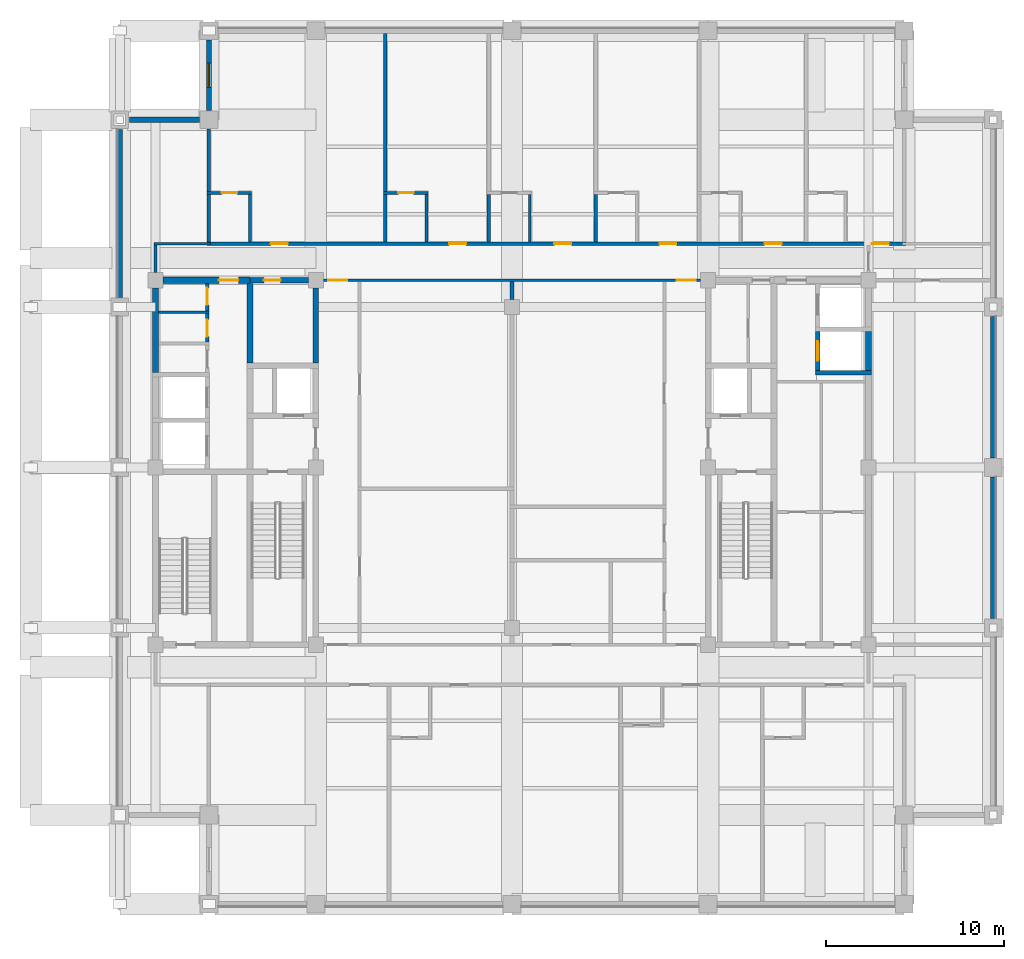
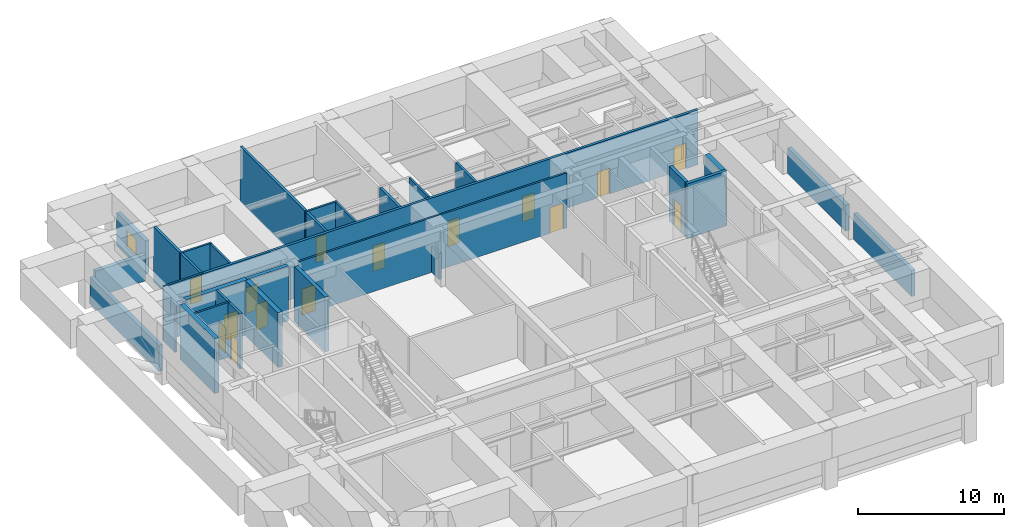
# One storey, part 5 of 11: 32 walls, 15 doors, 1 window, 16 openings.
"""IFC4 building model written with IfcOpenShell, lengths in metres."""

import ifcopenshell
import ifcopenshell.guid

model = None  # the IFC model being written
_history = None  # IfcOwnerHistory: only IFC2X3 demands one
_inside = {}  # id of a spatial element -> (the spatial element, [elements in it])
_under = {}  # id of a project, library or spatial element -> (it, [spatial elements below it])
_declared = {}  # id of a project -> (the project, [libraries it declares])
_typed = {}  # id of a type object -> (the type object, [elements of that type])
_made_of = {}  # id of a material, layer set ... -> (it, [elements and type objects made of it])


def new_model(schema):
    """Start an empty IFC model of exactly this schema.

    Asked for "IFC4X3", IfcOpenShell would pick the latest addendum, in which some entities
    have other attributes; the version numbers below select the first issue.
    IFC2X3 requires an IfcOwnerHistory on every rooted entity: one is made here for all.
    """
    global model, _history
    if schema == "IFC4X3":
        model = ifcopenshell.file(schema_version=(4, 3, 0, 0))
    else:
        model = ifcopenshell.file(schema=schema)
    _inside.clear()
    _under.clear()
    _declared.clear()
    _typed.clear()
    _made_of.clear()
    _history = None
    if model.schema == "IFC2X3":
        org = make("IfcOrganization", Name="unknown")
        user = make(
            "IfcPersonAndOrganization",
            ThePerson=make("IfcPerson", FamilyName="unknown"),
            TheOrganization=org,
        )
        app = make(
            "IfcApplication",
            ApplicationDeveloper=org,
            Version="unknown",
            ApplicationFullName="unknown",
            ApplicationIdentifier="unknown",
        )
        _history = make(
            "IfcOwnerHistory",
            OwningUser=user,
            OwningApplication=app,
            ChangeAction="ADDED",
            CreationDate=0,
        )
    return model


def make(cls, **values):
    """One entity of the class cls with the attributes given. An attribute that is None is left unset."""
    return model.create_entity(
        cls, **{name: value for name, value in values.items() if value is not None}
    )


def rooted(cls, **values):
    """An entity with a GlobalId (a new one), such as an element, a storey or a relation."""
    return make(cls, GlobalId=ifcopenshell.guid.new(), OwnerHistory=_history, **values)


def si_unit(unit_type, name, prefix=None):
    """IfcSIUnit, for example si_unit("LENGTHUNIT", "METRE", prefix="MILLI")."""
    return make("IfcSIUnit", UnitType=unit_type, Prefix=prefix, Name=name)


def assignment(units):
    """IfcUnitAssignment: the units of a project."""
    return None if units is None else make("IfcUnitAssignment", Units=units)


def point(xyz):
    """IfcCartesianPoint."""
    return None if xyz is None else make("IfcCartesianPoint", Coordinates=xyz)


def direction(xyz):
    """IfcDirection."""
    return None if xyz is None else make("IfcDirection", DirectionRatios=xyz)


def frame(location, z_axis=None, x_axis=None):
    """IfcAxis2Placement3D, a coordinate frame: its origin and axes. An axis left out is left unset."""
    return make(
        "IfcAxis2Placement3D",
        Location=point(location),
        Axis=direction(z_axis),
        RefDirection=direction(x_axis),
    )


def frame_2d(location, x_axis=None):
    """IfcAxis2Placement2D, a coordinate frame in the plane: its origin and x axis."""
    return make(
        "IfcAxis2Placement2D", Location=point(location), RefDirection=direction(x_axis)
    )


def origin():
    """The frame at (0, 0, 0) with its axes left unset."""
    return frame((0.0, 0.0, 0.0))


def place(relative_to, where):
    """IfcLocalPlacement: puts the frame where relative to a parent placement (None: the world)."""
    return make(
        "IfcLocalPlacement", PlacementRelTo=relative_to, RelativePlacement=where
    )


def context(
    kind, dimensions, precision=None, world=None, true_north=None, identifier=None
):
    """IfcGeometricRepresentationContext, for example the 3D "Model" context."""
    return make(
        "IfcGeometricRepresentationContext",
        ContextIdentifier=identifier,
        ContextType=kind,
        CoordinateSpaceDimension=dimensions,
        Precision=precision,
        WorldCoordinateSystem=world,
        TrueNorth=true_north,
    )


def subcontext(parent, identifier, kind, view, scale=None):
    """IfcGeometricRepresentationSubContext, for example "Body" below "Model"."""
    return make(
        "IfcGeometricRepresentationSubContext",
        ContextIdentifier=identifier,
        ContextType=kind,
        ParentContext=parent,
        TargetScale=scale,
        TargetView=view,
    )


def project(units=None, contexts=None):
    """IfcProject with its units and contexts."""
    return rooted(
        "IfcProject",
        Name="project",
        RepresentationContexts=contexts,
        UnitsInContext=assignment(units),
    )


def spatial(cls, under=None, at=None, **own):
    """A site, building, storey or space (cls), placed at a placement, below another one or the project."""
    s = rooted(cls, ObjectPlacement=at, **own)
    if under is not None:
        _under.setdefault(under.id(), (under, []))[1].append(s)
    return s


def profile(cls, at=None, kind="AREA", **sizes):
    """A parametric profile (cls). Its sizes go by their IFC names, for example OverallWidth=200.0."""
    return make(cls, ProfileType=kind, Position=at, **sizes)


def rectangle(**sizes):
    """IfcRectangleProfileDef."""
    return profile("IfcRectangleProfileDef", **sizes)


def extrude(swept, where, along, depth):
    """IfcExtrudedAreaSolid: the profile swept, set in the frame where, extruded along a direction by depth."""
    return make(
        "IfcExtrudedAreaSolid",
        SweptArea=swept,
        Position=where,
        ExtrudedDirection=direction(along),
        Depth=depth,
    )


def shape(context_of_items, identifier, shape_type, items):
    """IfcShapeRepresentation: the items that make up one representation, for example the "Body"."""
    return make(
        "IfcShapeRepresentation",
        ContextOfItems=context_of_items,
        RepresentationIdentifier=identifier,
        RepresentationType=shape_type,
        Items=items,
    )


def material(Name=None, Category=None):
    """IfcMaterial."""
    return make("IfcMaterial", Name=Name, Category=Category)


def layer(
    of_material, thickness, ventilated=None, Name=None, Category=None, Priority=None
):
    """IfcMaterialLayer: one layer of a wall or slab, of a material (None: an air gap)."""
    return make(
        "IfcMaterialLayer",
        Material=of_material,
        LayerThickness=thickness,
        IsVentilated=ventilated,
        Name=Name,
        Category=Category,
        Priority=Priority,
    )


def layer_set(layers, Name=None):
    """IfcMaterialLayerSet."""
    return make("IfcMaterialLayerSet", MaterialLayers=layers, LayerSetName=Name)


def made_of(thing, what):
    """Note that an element or type object is made of a material, layer set ...; save() writes the relation."""
    if what is not None:
        _made_of.setdefault(what.id(), (what, []))[1].append(thing)
    return thing


def type_object(cls, material=None, **own):
    """A type object (cls), such as IfcWallType, which elements share."""
    return made_of(rooted(cls, **own), material)


def element(
    cls,
    number,
    at=None,
    inside=None,
    cuts=None,
    type_object=None,
    material=None,
    context=None,
    identifier="Body",
    shape_type=None,
    held_by="IfcProductDefinitionShape",
    body=None,
    shapes=None,
    **own,
):
    """One element of the class cls, such as IfcWall. Its Tag is "e" and its number.

    at: its placement. inside: the storey or other place that contains it. cuts: it is an
    opening in that element (IfcRelVoidsElement). A single representation is given by context,
    identifier, shape_type and body (its items); several are given by shapes. held_by: the class
    of the entity that holds the representations. save() writes the other relations.
    """
    e = rooted(cls, Tag="e%d" % number, ObjectPlacement=at, **own)
    if body is not None:
        shapes = [shape(context, identifier, shape_type, body)]
    if shapes is not None:
        e.Representation = make(held_by, Representations=shapes)
    if inside is not None:
        _inside.setdefault(inside.id(), (inside, []))[1].append(e)
    if cuts is not None:
        rooted(
            "IfcRelVoidsElement", RelatingBuildingElement=cuts, RelatedOpeningElement=e
        )
    if type_object is not None:
        _typed.setdefault(type_object.id(), (type_object, []))[1].append(e)
    return made_of(e, material)


def fill(opening, filler):
    """IfcRelFillsElement: the door or window that sits in an opening."""
    return rooted(
        "IfcRelFillsElement",
        RelatingOpeningElement=opening,
        RelatedBuildingElement=filler,
    )


def aggregate(whole, parts):
    """IfcRelAggregates: a whole, such as a stair, and the parts it consists of."""
    return rooted("IfcRelAggregates", RelatingObject=whole, RelatedObjects=parts)


def save(model, path):
    """Write the relations noted so far, then the file.

    IfcRelAggregates (storeys below a building ...), IfcRelContainedInSpatialStructure (elements
    in a storey), IfcRelDefinesByType, IfcRelAssociatesMaterial and IfcRelDeclares: one each for
    every whole, place, type object, material and project.
    """
    for whole, parts in _under.values():
        aggregate(whole, parts)
    for where, things in _inside.values():
        rooted(
            "IfcRelContainedInSpatialStructure",
            RelatedElements=things,
            RelatingStructure=where,
        )
    for kind, things in _typed.values():
        rooted("IfcRelDefinesByType", RelatedObjects=things, RelatingType=kind)
    for what, things in _made_of.values():
        rooted("IfcRelAssociatesMaterial", RelatedObjects=things, RelatingMaterial=what)
    for by, libraries in _declared.values():
        rooted("IfcRelDeclares", RelatingContext=by, RelatedDefinitions=libraries)
    model.write(path)


model = new_model("IFC4")

# Units and contexts
model_context = context("Model", 3, precision=1e-05, world=origin(), true_north=direction((0.0, 1.0)))
body_context = subcontext(model_context, "Body", "Model", "MODEL_VIEW")
ifc_project = project(units=[si_unit("LENGTHUNIT", "METRE"), si_unit("AREAUNIT", "SQUARE_METRE"), si_unit("VOLUMEUNIT", "CUBIC_METRE"), si_unit("PLANEANGLEUNIT", "RADIAN"), si_unit("MASSUNIT", "GRAM", prefix="KILO")], contexts=[model_context])

# Site, building, storey
site_placement = place(None, origin())
site = spatial("IfcSite", under=ifc_project, at=site_placement, CompositionType="ELEMENT")
building_placement = place(site_placement, origin())
building = spatial("IfcBuilding", under=site, at=building_placement, Name="Zulmaris Gate Convention Tower", CompositionType="ELEMENT")
storey_placement = place(building_placement, frame((0.0, 0.0, 186.4599609375)))
storey = spatial("IfcBuildingStorey", under=building, at=storey_placement, Name="L48", CompositionType="ELEMENT", Elevation=186.4599609375)

# Wall
ifc_material_1 = material(Name="Concrete C50/60", Category="concrete")
ifc_layer_1 = layer(ifc_material_1, 0.25, Name="Concrete C50/60")
ifc_layer_set_1 = layer_set([ifc_layer_1], Name="Concrete C50/60")
wall_type_1 = type_object("IfcWallType", Name="CORE-250", PredefinedType="SOLIDWALL", material=ifc_layer_set_1)
wall_1_placement = place(storey_placement, frame((17.02490234375, 5.300048828125, 0.0), z_axis=(0.0, 0.0, 1.0), x_axis=(1.0, 0.0, 0.0)))
element("IfcWall", 1, at=wall_1_placement, inside=storey, type_object=wall_type_1, Name="WL-L48-011", PredefinedType="SOLIDWALL", context=body_context, shape_type="SweptSolid", body=[
    extrude(rectangle(XDim=3.150146484375, YDim=0.25, at=frame_2d((1.5751953125, 0.0))), origin(), (0.0, 0.0, 1.0), 4.574951171875),
])

# Wall, opening, door
wall_2_placement = place(storey_placement, frame((17.14990234375, 5.427001953125, 0.0), z_axis=(0.0, 0.0, 1.0), x_axis=(0.0, 1.0, 0.0)))
wall_2 = element("IfcWall", 2, at=wall_2_placement, inside=storey, type_object=wall_type_1, Name="WL-L48-071", PredefinedType="SOLIDWALL", context=body_context, shape_type="SweptSolid", body=[
    extrude(rectangle(XDim=2.196044921875, YDim=0.25, at=frame_2d((1.09814453125, 0.0))), origin(), (0.0, 0.0, 1.0), 4.574951171875),
])
opening_1_placement = place(wall_2_placement, frame((0.548095703125, 0.0, 0.0)))
opening_1 = element("IfcOpeningElement", 3, at=opening_1_placement, cuts=wall_2, Name="Opening D-06", PredefinedType="OPENING", context=body_context, shape_type="SweptSolid", body=[
    extrude(rectangle(XDim=1.10009765625, YDim=2.199951171875, at=frame_2d((0.550048828125, 1.10009765625))), frame((0.0, 0.135009765625, 0.0), z_axis=(0.0, -1.0, 0.0), x_axis=(1.0, 0.0, 0.0)), (0.0, 0.0, 1.0), 0.27001953125),
])
ifc_material_2 = material(Name="Brushed Stainless Steel", Category="steel")
door_type_1 = type_object("IfcDoorType", Name="LD-1100", OperationType="NOTDEFINED", PredefinedType="DOOR", material=ifc_material_2)
door_1_placement = place(opening_1_placement, origin())
door_1 = element("IfcDoor", 4, at=door_1_placement, inside=storey, type_object=door_type_1, Name="L48 Lift Landing Door HP-01 17", OperationType="SLIDING_TO_RIGHT", OverallHeight=2.199951171875, OverallWidth=1.10009765625, PredefinedType="DOOR", context=body_context, shape_type="SweptSolid", body=[
    extrude(rectangle(XDim=1.10009765625, YDim=2.199951171875, at=frame_2d((0.550048828125, 1.10009765625))), frame((0.0, 0.02490234375, 0.0), z_axis=(0.0, -1.0, 0.0), x_axis=(1.0, 0.0, 0.0)), (0.0, 0.0, 1.0), 0.050048828125),
])
fill(opening_1, door_1)

ifc_layer_2 = layer(ifc_material_1, 0.300048828125, Name="Concrete C50/60")
ifc_layer_set_2 = layer_set([ifc_layer_2], Name="Concrete C50/60")
wall_type_2 = type_object("IfcWallType", Name="CORE-300", PredefinedType="SHEAR", material=ifc_layer_set_2)
wall_3_placement = place(storey_placement, frame((-14.699951171875, 10.5, 0.0), z_axis=(0.0, 0.0, 1.0), x_axis=(1.0, 0.0, 0.0)))
wall_3 = element("IfcWall", 5, at=wall_3_placement, inside=storey, type_object=wall_type_2, Name="WL-L48-016", PredefinedType="SHEAR", context=body_context, shape_type="SweptSolid", body=[
    extrude(rectangle(XDim=3.27099609375, YDim=0.300048828125, at=frame_2d((1.635498046875, 0.0))), origin(), (0.0, 0.0, 1.0), 4.574951171875),
])
opening_2_placement = place(wall_3_placement, frame((0.77490234375, 0.0, 0.0)))
opening_2 = element("IfcOpeningElement", 6, at=opening_2_placement, cuts=wall_3, Name="Opening D-11", PredefinedType="OPENING", context=body_context, shape_type="SweptSolid", body=[
    extrude(rectangle(XDim=0.949951171875, YDim=2.14990234375, at=frame_2d((0.47509765625, 1.074951171875))), frame((0.0, 0.16015625, 0.0), z_axis=(0.0, -1.0, 0.0), x_axis=(1.0, 0.0, 0.0)), (0.0, 0.0, 1.0), 0.320068359375),
])
ifc_material_3 = material(Name="Fire-Rated Timber", Category="wood")
door_type_2 = type_object("IfcDoorType", Name="DR-950-FD", OperationType="NOTDEFINED", PredefinedType="DOOR", material=ifc_material_3)
door_2_placement = place(opening_2_placement, origin())
door_2 = element("IfcDoor", 7, at=door_2_placement, inside=storey, type_object=door_type_2, Name="L48 Core Archive Door 07", OperationType="SINGLE_SWING_LEFT", OverallHeight=2.14990234375, OverallWidth=0.949951171875, PredefinedType="DOOR", context=body_context, shape_type="SweptSolid", body=[
    extrude(rectangle(XDim=0.949951171875, YDim=2.14990234375, at=frame_2d((0.47509765625, 1.074951171875))), frame((0.0, 0.02490234375, 0.0), z_axis=(0.0, -1.0, 0.0), x_axis=(1.0, 0.0, 0.0)), (0.0, 0.0, 1.0), 0.050048828125),
])
fill(opening_2, door_2)

# Wall
wall_4_placement = place(storey_placement, frame((-11.0, 5.85205078125, 0.0), z_axis=(0.0, 0.0, 1.0), x_axis=(0.0, 1.0, 0.0)))
element("IfcWall", 8, at=wall_4_placement, inside=storey, type_object=wall_type_2, Name="WL-L48-060", PredefinedType="SHEAR", context=body_context, shape_type="SweptSolid", body=[
    extrude(rectangle(XDim=4.218994140625, YDim=0.300048828125, at=frame_2d((2.109375, 0.0))), origin(), (0.0, 0.0, 1.0), 4.574951171875),
])

# Wall, opening, door
ifc_material_4 = material(Name="Concrete C55/67", Category="concrete")
ifc_layer_3 = layer(ifc_material_4, 0.35009765625, Name="Concrete C55/67")
ifc_layer_set_3 = layer_set([ifc_layer_3], Name="Concrete C55/67")
wall_type_3 = type_object("IfcWallType", Name="CORE-350", PredefinedType="SHEAR", material=ifc_layer_set_3)
wall_5_placement = place(storey_placement, frame((-19.571044921875, 10.5, 0.0), z_axis=(0.0, 0.0, 1.0), x_axis=(1.0, 0.0, 0.0)))
wall_5 = element("IfcWall", 9, at=wall_5_placement, inside=storey, type_object=wall_type_3, Name="WL-L48-015", PredefinedType="SHEAR", context=body_context, shape_type="SweptSolid", body=[
    extrude(rectangle(XDim=4.87109375, YDim=0.35009765625, at=frame_2d((2.435546875, 0.0))), origin(), (0.0, 0.0, 1.0), 4.574951171875),
])
opening_3_placement = place(wall_5_placement, frame((3.12109375, 0.0, 0.0)))
opening_3 = element("IfcOpeningElement", 10, at=opening_3_placement, cuts=wall_5, Name="Opening D-08", PredefinedType="OPENING", context=body_context, shape_type="SweptSolid", body=[
    extrude(rectangle(XDim=1.10009765625, YDim=2.14990234375, at=frame_2d((0.550048828125, 1.074951171875))), frame((0.0, 0.18505859375, 0.0), z_axis=(0.0, -1.0, 0.0), x_axis=(1.0, 0.0, 0.0)), (0.0, 0.0, 1.0), 0.3701171875),
])
ifc_material_5 = material(Name="Fire-Rated Steel", Category="steel")
door_type_3 = type_object("IfcDoorType", Name="DR-1100-FD", OperationType="NOTDEFINED", PredefinedType="DOOR", material=ifc_material_5)
door_3_placement = place(opening_3_placement, origin())
door_3 = element("IfcDoor", 11, at=door_3_placement, inside=storey, type_object=door_type_3, Name="L48 High-Rise West Lift Lobby Door 13", OperationType="SINGLE_SWING_LEFT", OverallHeight=2.14990234375, OverallWidth=1.10009765625, PredefinedType="DOOR", context=body_context, shape_type="SweptSolid", body=[
    extrude(rectangle(XDim=1.10009765625, YDim=2.14990234375, at=frame_2d((0.550048828125, 1.074951171875))), frame((0.0, 0.02490234375, 0.0), z_axis=(0.0, -1.0, 0.0), x_axis=(1.0, 0.0, 0.0)), (0.0, 0.0, 1.0), 0.050048828125),
])
fill(opening_3, door_3)

# Walls
wall_6_placement = place(storey_placement, frame((-20.0, 5.326904296875, 0.0), z_axis=(0.0, 0.0, 1.0), x_axis=(0.0, 1.0, 0.0)))
element("IfcWall", 12, at=wall_6_placement, inside=storey, type_object=wall_type_3, Name="WL-L48-047", PredefinedType="SHEAR", context=body_context, shape_type="SweptSolid", body=[
    extrude(rectangle(XDim=4.744140625, YDim=0.35009765625, at=frame_2d((2.3720703125, 0.0))), origin(), (0.0, 0.0, 1.0), 4.574951171875),
])
wall_7_placement = place(storey_placement, frame((-14.699951171875, 5.85205078125, 0.0), z_axis=(0.0, 0.0, 1.0), x_axis=(0.0, 1.0, 0.0)))
element("IfcWall", 13, at=wall_7_placement, inside=storey, type_object=wall_type_3, Name="WL-L48-054", PredefinedType="SHEAR", context=body_context, shape_type="SweptSolid", body=[
    extrude(rectangle(XDim=4.470947265625, YDim=0.35009765625, at=frame_2d((2.2353515625, 0.0))), origin(), (0.0, 0.0, 1.0), 4.574951171875),
])
wall_8_placement = place(storey_placement, frame((20.0, 5.427001953125, 0.0), z_axis=(0.0, 0.0, 1.0), x_axis=(0.0, 1.0, 0.0)))
element("IfcWall", 14, at=wall_8_placement, inside=storey, type_object=wall_type_3, Name="WL-L48-074", PredefinedType="SHEAR", context=body_context, shape_type="SweptSolid", body=[
    extrude(rectangle(XDim=2.196044921875, YDim=0.35009765625, at=frame_2d((1.09814453125, 0.0))), origin(), (0.0, 0.0, 1.0), 4.574951171875),
])
ifc_material_6 = material(Name="Gypsum Metal Stud Partition")
ifc_layer_4 = layer(ifc_material_6, 0.14990234375, Name="Gypsum Metal Stud Partition")
ifc_layer_set_4 = layer_set([ifc_layer_4], Name="Gypsum Metal Stud Partition")
wall_type_4 = type_object("IfcWallType", Name="PART-150", PredefinedType="PARTITIONING", material=ifc_layer_set_4)
wall_9_placement = place(storey_placement, frame((-19.822021484375, 8.699951171875, 0.0), z_axis=(0.0, 0.0, 1.0), x_axis=(1.0, 0.0, 0.0)))
element("IfcWall", 15, at=wall_9_placement, inside=storey, type_object=wall_type_4, Name="WL-L48-032", PredefinedType="PARTITIONING", context=body_context, shape_type="SweptSolid", body=[
    extrude(rectangle(XDim=2.822021484375, YDim=0.14990234375, at=frame_2d((1.4111328125, 0.0))), origin(), (0.0, 0.0, 1.0), 4.574951171875),
])

# Wall, openings, doors
wall_10_placement = place(storey_placement, frame((-10.569091796875, 10.5, 0.0), z_axis=(0.0, 0.0, 1.0), x_axis=(1.0, 0.0, 0.0)))
wall_10 = element("IfcWall", 16, at=wall_10_placement, inside=storey, type_object=wall_type_4, Name="WL-L48-033", PredefinedType="PARTITIONING", context=body_context, shape_type="SweptSolid", body=[
    extrude(rectangle(XDim=21.13818359375, YDim=0.14990234375, at=frame_2d((10.569091796875, 0.0))), origin(), (0.0, 0.0, 1.0), 4.574951171875),
])
opening_4_placement = place(wall_10_placement, frame((0.263916015625, 0.0, 0.0)))
opening_4 = element("IfcOpeningElement", 17, at=opening_4_placement, cuts=wall_10, Name="Opening D-09", PredefinedType="OPENING", context=body_context, shape_type="SweptSolid", body=[
    extrude(rectangle(XDim=1.050048828125, YDim=2.14990234375, at=frame_2d((0.52490234375, 1.074951171875))), frame((0.0, 0.0849609375, 0.0), z_axis=(0.0, -1.0, 0.0), x_axis=(1.0, 0.0, 0.0)), (0.0, 0.0, 1.0), 0.169921875),
])
opening_5_placement = place(wall_10_placement, frame((19.823974609375, 0.0, 0.0)))
opening_5 = element("IfcOpeningElement", 18, at=opening_5_placement, cuts=wall_10, Name="Opening D-09", PredefinedType="OPENING", context=body_context, shape_type="SweptSolid", body=[
    extrude(rectangle(XDim=1.050048828125, YDim=2.14990234375, at=frame_2d((0.52490234375, 1.074951171875))), frame((0.0, 0.0849609375, 0.0), z_axis=(0.0, -1.0, 0.0), x_axis=(1.0, 0.0, 0.0)), (0.0, 0.0, 1.0), 0.169921875),
])
door_type_4 = type_object("IfcDoorType", Name="DR-1050-FD", OperationType="NOTDEFINED", PredefinedType="DOOR", material=ifc_material_5)
door_4_placement = place(opening_4_placement, origin())
door_4 = element("IfcDoor", 19, at=door_4_placement, inside=storey, type_object=door_type_4, Name="L48 NW Hotel Loop Door 24", OperationType="SINGLE_SWING_RIGHT", OverallHeight=2.14990234375, OverallWidth=1.050048828125, PredefinedType="DOOR", context=body_context, shape_type="SweptSolid", body=[
    extrude(rectangle(XDim=1.050048828125, YDim=2.14990234375, at=frame_2d((0.52490234375, 1.074951171875))), frame((0.0, 0.02490234375, 0.0), z_axis=(0.0, -1.0, 0.0), x_axis=(1.0, 0.0, 0.0)), (0.0, 0.0, 1.0), 0.050048828125),
])
fill(opening_4, door_4)
door_5_placement = place(opening_5_placement, origin())
door_5 = element("IfcDoor", 20, at=door_5_placement, inside=storey, type_object=door_type_4, Name="L48 NE Hotel Loop Door 26", OperationType="SINGLE_SWING_RIGHT", OverallHeight=2.14990234375, OverallWidth=1.050048828125, PredefinedType="DOOR", context=body_context, shape_type="SweptSolid", body=[
    extrude(rectangle(XDim=1.050048828125, YDim=2.14990234375, at=frame_2d((0.52490234375, 1.074951171875))), frame((0.0, 0.02490234375, 0.0), z_axis=(0.0, -1.0, 0.0), x_axis=(1.0, 0.0, 0.0)), (0.0, 0.0, 1.0), 0.050048828125),
])
fill(opening_5, door_5)

# Wall
wall_11_placement = place(storey_placement, frame((-20.074951171875, 12.550048828125, 0.0), z_axis=(0.0, 0.0, 1.0), x_axis=(1.0, 0.0, 0.0)))
element("IfcWall", 21, at=wall_11_placement, inside=storey, type_object=wall_type_4, Name="WL-L48-035", PredefinedType="PARTITIONING", context=body_context, shape_type="SweptSolid", body=[
    extrude(rectangle(XDim=3.175048828125, YDim=0.14990234375, at=frame_2d((1.58740234375, 0.0))), origin(), (0.0, 0.0, 1.0), 4.574951171875),
])

# Wall, opening, door
wall_12_placement = place(storey_placement, frame((-17.10009765625, 15.39990234375, 0.0), z_axis=(0.0, 0.0, 1.0), x_axis=(1.0, 0.0, 0.0)))
wall_12 = element("IfcWall", 22, at=wall_12_placement, inside=storey, type_object=wall_type_4, Name="WL-L48-038", PredefinedType="PARTITIONING", context=body_context, shape_type="SweptSolid", body=[
    extrude(rectangle(XDim=2.47509765625, YDim=0.14990234375, at=frame_2d((1.237548828125, 0.0))), origin(), (0.0, 0.0, 1.0), 4.574951171875),
])
opening_6_placement = place(wall_12_placement, frame((0.824951171875, 0.0, 0.0)))
opening_6 = element("IfcOpeningElement", 23, at=opening_6_placement, cuts=wall_12, Name="Opening D-17", PredefinedType="OPENING", context=body_context, shape_type="SweptSolid", body=[
    extrude(rectangle(XDim=0.85009765625, YDim=2.10009765625, at=frame_2d((0.425048828125, 1.050048828125))), frame((0.0, 0.0849609375, 0.0), z_axis=(0.0, -1.0, 0.0), x_axis=(1.0, 0.0, 0.0)), (0.0, 0.0, 1.0), 0.169921875),
])
ifc_material_7 = material(Name="Moisture-Resistant Hardwood Timber", Category="wood")
door_type_5 = type_object("IfcDoorType", Name="DR-850", OperationType="NOTDEFINED", PredefinedType="DOOR", material=ifc_material_7)
door_6_placement = place(opening_6_placement, origin())
door_6 = element("IfcDoor", 24, at=door_6_placement, inside=storey, type_object=door_type_5, Name="L48 En-Suite Door 29", OperationType="SINGLE_SWING_LEFT", OverallHeight=2.10009765625, OverallWidth=0.85009765625, PredefinedType="DOOR", context=body_context, shape_type="SweptSolid", body=[
    extrude(rectangle(XDim=0.85009765625, YDim=2.10009765625, at=frame_2d((0.425048828125, 1.050048828125))), frame((0.0, 0.02490234375, 0.0), z_axis=(0.0, -1.0, 0.0), x_axis=(1.0, 0.0, 0.0)), (0.0, 0.0, 1.0), 0.050048828125),
])
fill(opening_6, door_6)

wall_13_placement = place(storey_placement, frame((-7.199951171875, 15.39990234375, 0.0), z_axis=(0.0, 0.0, 1.0), x_axis=(1.0, 0.0, 0.0)))
wall_13 = element("IfcWall", 25, at=wall_13_placement, inside=storey, type_object=wall_type_4, Name="WL-L48-039", PredefinedType="PARTITIONING", context=body_context, shape_type="SweptSolid", body=[
    extrude(rectangle(XDim=2.474853515625, YDim=0.14990234375, at=frame_2d((1.2373046875, 0.0))), origin(), (0.0, 0.0, 1.0), 4.574951171875),
])
opening_7_placement = place(wall_13_placement, frame((0.824951171875, 0.0, 0.0)))
opening_7 = element("IfcOpeningElement", 26, at=opening_7_placement, cuts=wall_13, Name="Opening D-17", PredefinedType="OPENING", context=body_context, shape_type="SweptSolid", body=[
    extrude(rectangle(XDim=0.85009765625, YDim=2.10009765625, at=frame_2d((0.425048828125, 1.050048828125))), frame((0.0, 0.0849609375, 0.0), z_axis=(0.0, -1.0, 0.0), x_axis=(1.0, 0.0, 0.0)), (0.0, 0.0, 1.0), 0.169921875),
])
door_7_placement = place(opening_7_placement, origin())
door_7 = element("IfcDoor", 27, at=door_7_placement, inside=storey, type_object=door_type_5, Name="L48 En-Suite Door 31", OperationType="SINGLE_SWING_LEFT", OverallHeight=2.10009765625, OverallWidth=0.85009765625, PredefinedType="DOOR", context=body_context, shape_type="SweptSolid", body=[
    extrude(rectangle(XDim=0.85009765625, YDim=2.10009765625, at=frame_2d((0.425048828125, 1.050048828125))), frame((0.0, 0.02490234375, 0.0), z_axis=(0.0, -1.0, 0.0), x_axis=(1.0, 0.0, 0.0)), (0.0, 0.0, 1.0), 0.050048828125),
])
fill(opening_7, door_7)

# Walls
wall_14_placement = place(storey_placement, frame((-20.0, 10.930908203125, 0.0), z_axis=(0.0, 0.0, 1.0), x_axis=(0.0, 1.0, 0.0)))
element("IfcWall", 28, at=wall_14_placement, inside=storey, type_object=wall_type_4, Name="WL-L48-077", PredefinedType="PARTITIONING", context=body_context, shape_type="SweptSolid", body=[
    extrude(rectangle(XDim=1.541015625, YDim=0.14990234375, at=frame_2d((0.7705078125, 0.0))), origin(), (0.0, 0.0, 1.0), 3.76708984375),
])
for number, where, z_axis, x_axis, name in (
    (29, (-14.699951171875, 12.653076171875, 0.0), (0.0, 0.0, 1.0), (0.0, 1.0, 0.0), "WL-L48-084"),
    (30, (-4.800048828125, 12.653076171875, 0.0), (0.0, 0.0, 1.0), (0.0, 1.0, 0.0), "WL-L48-091"),
    (31, (1.0, 12.653076171875, 0.0), (0.0, 0.0, 1.0), (0.0, 1.0, 0.0), "WL-L48-099"),
):
    element("IfcWall", number, at=place(storey_placement, frame(where, z_axis=z_axis, x_axis=x_axis)), inside=storey, type_object=wall_type_4, Name=name, PredefinedType="PARTITIONING", context=body_context, shape_type="SweptSolid", body=[
        extrude(rectangle(XDim=2.6689453125, YDim=0.14990234375, at=frame_2d((1.33447265625, 0.0))), origin(), (0.0, 0.0, 1.0), 4.574951171875),
    ])

# Wall, openings, doors
ifc_material_8 = material(Name="Autoclaved Aerated Concrete Block and Plasterboard", Category="concrete")
ifc_layer_5 = layer(ifc_material_8, 0.199951171875, Name="Autoclaved Aerated Concrete Block and Plasterboard")
ifc_layer_set_5 = layer_set([ifc_layer_5], Name="Autoclaved Aerated Concrete Block and Plasterboard")
wall_type_5 = type_object("IfcWallType", Name="PART-200", PredefinedType="PARTITIONING", material=ifc_layer_set_5)
wall_15_placement = place(storey_placement, frame((-17.10009765625, 12.550048828125, 0.0), z_axis=(0.0, 0.0, 1.0), x_axis=(1.0, 0.0, 0.0)))
wall_15 = element("IfcWall", 32, at=wall_15_placement, inside=storey, type_object=wall_type_5, Name="WL-L48-036", PredefinedType="PARTITIONING", context=body_context, shape_type="SweptSolid", body=[
    extrude(rectangle(XDim=39.2001953125, YDim=0.199951171875, at=frame_2d((19.60009765625, 0.0))), origin(), (0.0, 0.0, 1.0), 4.574951171875),
])
opening_8_placement = place(wall_15_placement, frame((3.574951171875, 0.0, 0.0)))
opening_8 = element("IfcOpeningElement", 33, at=opening_8_placement, cuts=wall_15, Name="Opening D-11", PredefinedType="OPENING", context=body_context, shape_type="SweptSolid", body=[
    extrude(rectangle(XDim=0.949951171875, YDim=2.14990234375, at=frame_2d((0.47509765625, 1.074951171875))), frame((0.0, 0.10986328125, 0.0), z_axis=(0.0, -1.0, 0.0), x_axis=(1.0, 0.0, 0.0)), (0.0, 0.0, 1.0), 0.219970703125),
])
opening_9_placement = place(wall_15_placement, frame((13.574951171875, 0.0, 0.0)))
opening_9 = element("IfcOpeningElement", 34, at=opening_9_placement, cuts=wall_15, Name="Opening D-11", PredefinedType="OPENING", context=body_context, shape_type="SweptSolid", body=[
    extrude(rectangle(XDim=0.949951171875, YDim=2.14990234375, at=frame_2d((0.47509765625, 1.074951171875))), frame((0.0, 0.10986328125, 0.0), z_axis=(0.0, -1.0, 0.0), x_axis=(1.0, 0.0, 0.0)), (0.0, 0.0, 1.0), 0.219970703125),
])
opening_10_placement = place(wall_15_placement, frame((19.47509765625, 0.0, 0.0)))
opening_10 = element("IfcOpeningElement", 35, at=opening_10_placement, cuts=wall_15, Name="Opening D-11", PredefinedType="OPENING", context=body_context, shape_type="SweptSolid", body=[
    extrude(rectangle(XDim=0.949951171875, YDim=2.14990234375, at=frame_2d((0.47509765625, 1.074951171875))), frame((0.0, 0.10986328125, 0.0), z_axis=(0.0, -1.0, 0.0), x_axis=(1.0, 0.0, 0.0)), (0.0, 0.0, 1.0), 0.219970703125),
])
opening_11_placement = place(wall_15_placement, frame((25.375, 0.0, 0.0)))
opening_11 = element("IfcOpeningElement", 36, at=opening_11_placement, cuts=wall_15, Name="Opening D-11", PredefinedType="OPENING", context=body_context, shape_type="SweptSolid", body=[
    extrude(rectangle(XDim=0.949951171875, YDim=2.14990234375, at=frame_2d((0.47509765625, 1.074951171875))), frame((0.0, 0.10986328125, 0.0), z_axis=(0.0, -1.0, 0.0), x_axis=(1.0, 0.0, 0.0)), (0.0, 0.0, 1.0), 0.219970703125),
])
opening_12_placement = place(wall_15_placement, frame((31.27490234375, 0.0, 0.0)))
opening_12 = element("IfcOpeningElement", 37, at=opening_12_placement, cuts=wall_15, Name="Opening D-11", PredefinedType="OPENING", context=body_context, shape_type="SweptSolid", body=[
    extrude(rectangle(XDim=0.949951171875, YDim=2.14990234375, at=frame_2d((0.47509765625, 1.074951171875))), frame((0.0, 0.10986328125, 0.0), z_axis=(0.0, -1.0, 0.0), x_axis=(1.0, 0.0, 0.0)), (0.0, 0.0, 1.0), 0.219970703125),
])
opening_13_placement = place(wall_15_placement, frame((37.294921875, 0.0, 0.0)))
opening_13 = element("IfcOpeningElement", 38, at=opening_13_placement, cuts=wall_15, Name="Opening D-11", PredefinedType="OPENING", context=body_context, shape_type="SweptSolid", body=[
    extrude(rectangle(XDim=0.949951171875, YDim=2.14990234375, at=frame_2d((0.47509765625, 1.074951171875))), frame((0.0, 0.10986328125, 0.0), z_axis=(0.0, -1.0, 0.0), x_axis=(1.0, 0.0, 0.0)), (0.0, 0.0, 1.0), 0.219970703125),
])
door_8_placement = place(opening_8_placement, origin())
door_8 = element("IfcDoor", 39, at=door_8_placement, inside=storey, type_object=door_type_2, Name="L48 Hotel Diplomatic Suite Door 28", OperationType="SINGLE_SWING_RIGHT", OverallHeight=2.14990234375, OverallWidth=0.949951171875, PredefinedType="DOOR", context=body_context, shape_type="SweptSolid", body=[
    extrude(rectangle(XDim=0.949951171875, YDim=2.14990234375, at=frame_2d((0.47509765625, 1.074951171875))), frame((0.0, 0.02490234375, 0.0), z_axis=(0.0, -1.0, 0.0), x_axis=(1.0, 0.0, 0.0)), (0.0, 0.0, 1.0), 0.050048828125),
])
fill(opening_8, door_8)
door_9_placement = place(opening_9_placement, origin())
door_9 = element("IfcDoor", 40, at=door_9_placement, inside=storey, type_object=door_type_2, Name="L48 Hotel Diplomatic Suite Door 30", OperationType="SINGLE_SWING_RIGHT", OverallHeight=2.14990234375, OverallWidth=0.949951171875, PredefinedType="DOOR", context=body_context, shape_type="SweptSolid", body=[
    extrude(rectangle(XDim=0.949951171875, YDim=2.14990234375, at=frame_2d((0.47509765625, 1.074951171875))), frame((0.0, 0.02490234375, 0.0), z_axis=(0.0, -1.0, 0.0), x_axis=(1.0, 0.0, 0.0)), (0.0, 0.0, 1.0), 0.050048828125),
])
fill(opening_9, door_9)
door_10_placement = place(opening_10_placement, origin())
door_10 = element("IfcDoor", 41, at=door_10_placement, inside=storey, type_object=door_type_2, Name="L48 Hotel Diplomatic Suite Door 32", OperationType="SINGLE_SWING_RIGHT", OverallHeight=2.14990234375, OverallWidth=0.949951171875, PredefinedType="DOOR", context=body_context, shape_type="SweptSolid", body=[
    extrude(rectangle(XDim=0.949951171875, YDim=2.14990234375, at=frame_2d((0.47509765625, 1.074951171875))), frame((0.0, 0.02490234375, 0.0), z_axis=(0.0, -1.0, 0.0), x_axis=(1.0, 0.0, 0.0)), (0.0, 0.0, 1.0), 0.050048828125),
])
fill(opening_10, door_10)
door_11_placement = place(opening_11_placement, origin())
door_11 = element("IfcDoor", 42, at=door_11_placement, inside=storey, type_object=door_type_2, Name="L48 Hotel Diplomatic Suite Door 34", OperationType="SINGLE_SWING_RIGHT", OverallHeight=2.14990234375, OverallWidth=0.949951171875, PredefinedType="DOOR", context=body_context, shape_type="SweptSolid", body=[
    extrude(rectangle(XDim=0.949951171875, YDim=2.14990234375, at=frame_2d((0.47509765625, 1.074951171875))), frame((0.0, 0.02490234375, 0.0), z_axis=(0.0, -1.0, 0.0), x_axis=(1.0, 0.0, 0.0)), (0.0, 0.0, 1.0), 0.050048828125),
])
fill(opening_11, door_11)
door_12_placement = place(opening_12_placement, origin())
door_12 = element("IfcDoor", 43, at=door_12_placement, inside=storey, type_object=door_type_2, Name="L48 Hotel Diplomatic Suite Door 36", OperationType="SINGLE_SWING_RIGHT", OverallHeight=2.14990234375, OverallWidth=0.949951171875, PredefinedType="DOOR", context=body_context, shape_type="SweptSolid", body=[
    extrude(rectangle(XDim=0.949951171875, YDim=2.14990234375, at=frame_2d((0.47509765625, 1.074951171875))), frame((0.0, 0.02490234375, 0.0), z_axis=(0.0, -1.0, 0.0), x_axis=(1.0, 0.0, 0.0)), (0.0, 0.0, 1.0), 0.050048828125),
])
fill(opening_12, door_12)
door_13_placement = place(opening_13_placement, origin())
door_13 = element("IfcDoor", 44, at=door_13_placement, inside=storey, type_object=door_type_2, Name="L48 Hotel Guest Room Door 38", OperationType="SINGLE_SWING_RIGHT", OverallHeight=2.14990234375, OverallWidth=0.949951171875, PredefinedType="DOOR", context=body_context, shape_type="SweptSolid", body=[
    extrude(rectangle(XDim=0.949951171875, YDim=2.14990234375, at=frame_2d((0.47509765625, 1.074951171875))), frame((0.0, 0.02490234375, 0.0), z_axis=(0.0, -1.0, 0.0), x_axis=(1.0, 0.0, 0.0)), (0.0, 0.0, 1.0), 0.050048828125),
])
fill(opening_13, door_13)

# Wall, opening, door
wall_16_placement = place(storey_placement, frame((-17.10009765625, 7.028076171875, 0.0), z_axis=(0.0, 0.0, 1.0), x_axis=(0.0, 1.0, 0.0)))
wall_16 = element("IfcWall", 45, at=wall_16_placement, inside=storey, type_object=wall_type_5, Name="WL-L48-079", PredefinedType="PARTITIONING", context=body_context, shape_type="SweptSolid", body=[
    extrude(rectangle(XDim=1.593994140625, YDim=0.199951171875, at=frame_2d((0.796875, 0.0))), origin(), (0.0, 0.0, 1.0), 4.574951171875),
])
opening_14_placement = place(wall_16_placement, frame((0.31689453125, 0.0, 0.0)))
opening_14 = element("IfcOpeningElement", 46, at=opening_14_placement, cuts=wall_16, Name="Opening D-11", PredefinedType="OPENING", context=body_context, shape_type="SweptSolid", body=[
    extrude(rectangle(XDim=0.949951171875, YDim=2.14990234375, at=frame_2d((0.47509765625, 1.074951171875))), frame((0.0, 0.10986328125, 0.0), z_axis=(0.0, -1.0, 0.0), x_axis=(1.0, 0.0, 0.0)), (0.0, 0.0, 1.0), 0.219970703125),
])
door_14_placement = place(opening_14_placement, origin())
door_14 = element("IfcDoor", 47, at=door_14_placement, inside=storey, type_object=door_type_2, Name="L48 Ice Pantry Door 15", OperationType="SINGLE_SWING_LEFT", OverallHeight=2.14990234375, OverallWidth=0.949951171875, PredefinedType="DOOR", context=body_context, shape_type="SweptSolid", body=[
    extrude(rectangle(XDim=0.949951171875, YDim=2.14990234375, at=frame_2d((0.47509765625, 1.074951171875))), frame((0.0, 0.02490234375, 0.0), z_axis=(0.0, -1.0, 0.0), x_axis=(1.0, 0.0, 0.0)), (0.0, 0.0, 1.0), 0.050048828125),
])
fill(opening_14, door_14)

wall_17_placement = place(storey_placement, frame((-17.10009765625, 8.778076171875, 0.0), z_axis=(0.0, 0.0, 1.0), x_axis=(0.0, 1.0, 0.0)))
wall_17 = element("IfcWall", 48, at=wall_17_placement, inside=storey, type_object=wall_type_5, Name="WL-L48-080", PredefinedType="PARTITIONING", context=body_context, shape_type="SweptSolid", body=[
    extrude(rectangle(XDim=1.5439453125, YDim=0.199951171875, at=frame_2d((0.77197265625, 0.0))), origin(), (0.0, 0.0, 1.0), 4.574951171875),
])
opening_15_placement = place(wall_17_placement, frame((0.346923828125, 0.0, 0.0)))
opening_15 = element("IfcOpeningElement", 49, at=opening_15_placement, cuts=wall_17, Name="Opening D-11", PredefinedType="OPENING", context=body_context, shape_type="SweptSolid", body=[
    extrude(rectangle(XDim=0.949951171875, YDim=2.14990234375, at=frame_2d((0.47509765625, 1.074951171875))), frame((0.0, 0.10986328125, 0.0), z_axis=(0.0, -1.0, 0.0), x_axis=(1.0, 0.0, 0.0)), (0.0, 0.0, 1.0), 0.219970703125),
])
door_15_placement = place(opening_15_placement, origin())
door_15 = element("IfcDoor", 50, at=door_15_placement, inside=storey, type_object=door_type_2, Name="L48 Housekeeping Door 14", OperationType="SINGLE_SWING_RIGHT", OverallHeight=2.14990234375, OverallWidth=0.949951171875, PredefinedType="DOOR", context=body_context, shape_type="SweptSolid", body=[
    extrude(rectangle(XDim=0.949951171875, YDim=2.14990234375, at=frame_2d((0.47509765625, 1.074951171875))), frame((0.0, 0.02490234375, 0.0), z_axis=(0.0, -1.0, 0.0), x_axis=(1.0, 0.0, 0.0)), (0.0, 0.0, 1.0), 0.050048828125),
])
fill(opening_15, door_15)

# Walls
wall_18_placement = place(storey_placement, frame((-17.0, 12.653076171875, 0.0), z_axis=(0.0, 0.0, 1.0), x_axis=(0.0, 1.0, 0.0)))
element("IfcWall", 51, at=wall_18_placement, inside=storey, type_object=wall_type_5, Name="WL-L48-082", PredefinedType="PARTITIONING", context=body_context, shape_type="SweptSolid", body=[
    extrude(rectangle(XDim=2.6689453125, YDim=0.199951171875, at=frame_2d((1.33447265625, 0.0))), origin(), (0.0, 0.0, 1.0), 4.574951171875),
])
wall_19_placement = place(storey_placement, frame((-17.0, 15.47802734375, 0.0), z_axis=(0.0, 0.0, 1.0), x_axis=(0.0, 1.0, 0.0)))
element("IfcWall", 52, at=wall_19_placement, inside=storey, type_object=wall_type_5, Name="WL-L48-083", PredefinedType="PARTITIONING", context=body_context, shape_type="SweptSolid", body=[
    extrude(rectangle(XDim=3.515869140625, YDim=0.199951171875, at=frame_2d((1.7578125, 0.0))), origin(), (0.0, 0.0, 1.0), 4.574951171875),
])
wall_20_placement = place(storey_placement, frame((-7.10009765625, 12.653076171875, 0.0), z_axis=(0.0, 0.0, 1.0), x_axis=(0.0, 1.0, 0.0)))
element("IfcWall", 53, at=wall_20_placement, inside=storey, type_object=wall_type_5, Name="WL-L48-087", PredefinedType="PARTITIONING", context=body_context, shape_type="SweptSolid", body=[
    extrude(rectangle(XDim=2.6689453125, YDim=0.199951171875, at=frame_2d((1.33447265625, 0.0))), origin(), (0.0, 0.0, 1.0), 4.574951171875),
])
wall_21_placement = place(storey_placement, frame((-7.10009765625, 15.47802734375, 0.0), z_axis=(0.0, 0.0, 1.0), x_axis=(0.0, 1.0, 0.0)))
element("IfcWall", 54, at=wall_21_placement, inside=storey, type_object=wall_type_5, Name="WL-L48-088", PredefinedType="PARTITIONING", context=body_context, shape_type="SweptSolid", body=[
    extrude(rectangle(XDim=8.85693359375, YDim=0.199951171875, at=frame_2d((4.428466796875, 0.0))), origin(), (0.0, 0.0, 1.0), 4.574951171875),
])
wall_22_placement = place(storey_placement, frame((-1.300048828125, 12.653076171875, 0.0), z_axis=(0.0, 0.0, 1.0), x_axis=(0.0, 1.0, 0.0)))
element("IfcWall", 55, at=wall_22_placement, inside=storey, type_object=wall_type_5, Name="WL-L48-093", PredefinedType="PARTITIONING", context=body_context, shape_type="SweptSolid", body=[
    extrude(rectangle(XDim=2.6689453125, YDim=0.199951171875, at=frame_2d((1.33447265625, 0.0))), origin(), (0.0, 0.0, 1.0), 4.574951171875),
])
wall_23_placement = place(storey_placement, frame((0.0, 9.430908203125, 0.0), z_axis=(0.0, 0.0, 1.0), x_axis=(0.0, 1.0, 0.0)))
element("IfcWall", 56, at=wall_23_placement, inside=storey, type_object=wall_type_5, Name="WL-L48-098S1", PredefinedType="PARTITIONING", context=body_context, shape_type="SweptSolid", body=[
    extrude(rectangle(XDim=0.9912109375, YDim=0.199951171875, at=frame_2d((0.49560546875, 0.0))), origin(), (0.0, 0.0, 1.0), 2.1669921875),
])
wall_24_placement = place(storey_placement, frame((4.699951171875, 12.653076171875, 0.0), z_axis=(0.0, 0.0, 1.0), x_axis=(0.0, 1.0, 0.0)))
element("IfcWall", 57, at=wall_24_placement, inside=storey, type_object=wall_type_5, Name="WL-L48-100", PredefinedType="PARTITIONING", context=body_context, shape_type="SweptSolid", body=[
    extrude(rectangle(XDim=2.6689453125, YDim=0.199951171875, at=frame_2d((1.33447265625, 0.0))), origin(), (0.0, 0.0, 1.0), 4.574951171875),
])

# Wall, opening, window
ifc_material_9 = material(Name="Precast concrete C40/50", Category="concrete")
ifc_layer_6 = layer(ifc_material_9, 0.300048828125, Name="Precast concrete C40/50")
ifc_layer_set_6 = layer_set([ifc_layer_6], Name="Precast concrete C40/50")
wall_type_6 = type_object("IfcWallType", Name="PRECAST-PIER-300", PredefinedType="STANDARD", material=ifc_layer_set_6)
wall_25_placement = place(storey_placement, frame((-17.0, 23.969970703125, 0.0), z_axis=(0.0, 0.0, 1.0), x_axis=(0.0, -1.0, 0.0)))
wall_25 = element("IfcWall", 58, at=wall_25_placement, inside=storey, type_object=wall_type_6, Name="EW-L48-NOTCH-NW1_0", PredefinedType="STANDARD", context=body_context, shape_type="SweptSolid", body=[
    extrude(rectangle(XDim=3.93994140625, YDim=0.300048828125, at=frame_2d((1.969970703125, 0.0))), origin(), (0.0, 0.0, 1.0), 2.76708984375),
])
opening_16_placement = place(wall_25_placement, frame((1.294921875, 0.0, 0.679931640625)))
opening_16 = element("IfcOpeningElement", 59, at=opening_16_placement, cuts=wall_25, Name="Opening W-10", PredefinedType="OPENING", context=body_context, shape_type="SweptSolid", body=[
    extrude(rectangle(XDim=1.35009765625, YDim=1.419921875, at=frame_2d((0.675048828125, 0.7099609375))), frame((0.0, 0.16015625, 0.0), z_axis=(0.0, -1.0, 0.0), x_axis=(1.0, 0.0, 0.0)), (0.0, 0.0, 1.0), 0.320068359375),
])
ifc_material_10 = material(Name="Low-E Laminated Double Glazing in Aluminium Frame", Category="aluminium")
window_type = type_object("IfcWindowType", Name="WIN-1350x2000", PartitioningType="SINGLE_PANEL", PredefinedType="WINDOW", material=ifc_material_10)
window_placement = place(opening_16_placement, origin())
window = element("IfcWindow", 60, at=window_placement, inside=storey, type_object=window_type, Name="WN-EW-L48-NOTCH-NW1_0", OverallHeight=1.419921875, OverallWidth=1.35009765625, PartitioningType="SINGLE_PANEL", PredefinedType="WINDOW", context=body_context, shape_type="SweptSolid", body=[
    extrude(rectangle(XDim=1.35009765625, YDim=1.419921875, at=frame_2d((0.675048828125, 0.7099609375))), frame((0.0, 0.030029296875, 0.0), z_axis=(0.0, -1.0, 0.0), x_axis=(1.0, 0.0, 0.0)), (0.0, 0.0, 1.0), 0.06005859375),
])
fill(opening_16, window)

# Walls
wall_26_placement = place(storey_placement, frame((-17.530029296875, 19.5, 0.0), z_axis=(0.0, 0.0, 1.0), x_axis=(-1.0, 0.0, 0.0)))
element("IfcWall", 61, at=wall_26_placement, inside=storey, type_object=wall_type_6, Name="EW-L48-NOTCH-NW2_0", PredefinedType="STANDARD", context=body_context, shape_type="SweptSolid", body=[
    extrude(rectangle(XDim=3.93994140625, YDim=0.300048828125, at=frame_2d((1.969970703125, 0.0))), origin(), (0.0, 0.0, 1.0), 2.1669921875),
])
for number, where, z_axis, x_axis, name in (
    (62, (27.0, -8.469970703125, 0.0), (0.0, 0.0, 1.0), (0.0, 1.0, 0.0), "EW-L48-E-1_0"),
    (63, (27.0, 0.530029296875, 0.0), (0.0, 0.0, 1.0), (0.0, 1.0, 0.0), "EW-L48-E-2_0"),
):
    element("IfcWall", number, at=place(storey_placement, frame(where, z_axis=z_axis, x_axis=x_axis)), inside=storey, type_object=wall_type_6, Name=name, PredefinedType="STANDARD", context=body_context, shape_type="SweptSolid", body=[
        extrude(rectangle(XDim=7.93994140625, YDim=0.300048828125, at=frame_2d((3.969970703125, 0.0))), origin(), (0.0, 0.0, 1.0), 2.1669921875),
    ])
wall_27_placement = place(storey_placement, frame((-22.0, 18.969970703125, 0.0), z_axis=(0.0, 0.0, 1.0), x_axis=(0.0, -1.0, 0.0)))
element("IfcWall", 64, at=wall_27_placement, inside=storey, type_object=wall_type_6, Name="EW-L48-W-3_0", PredefinedType="STANDARD", context=body_context, shape_type="SweptSolid", body=[
    extrude(rectangle(XDim=9.43994140625, YDim=0.300048828125, at=frame_2d((4.719970703125, 0.0))), origin(), (0.0, 0.0, 1.0), 2.1669921875),
])

save(model, "model.ifc")
